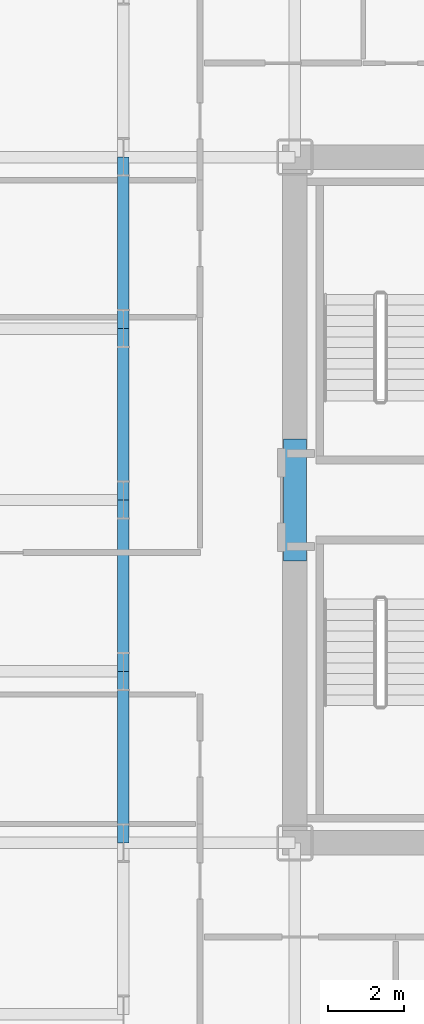
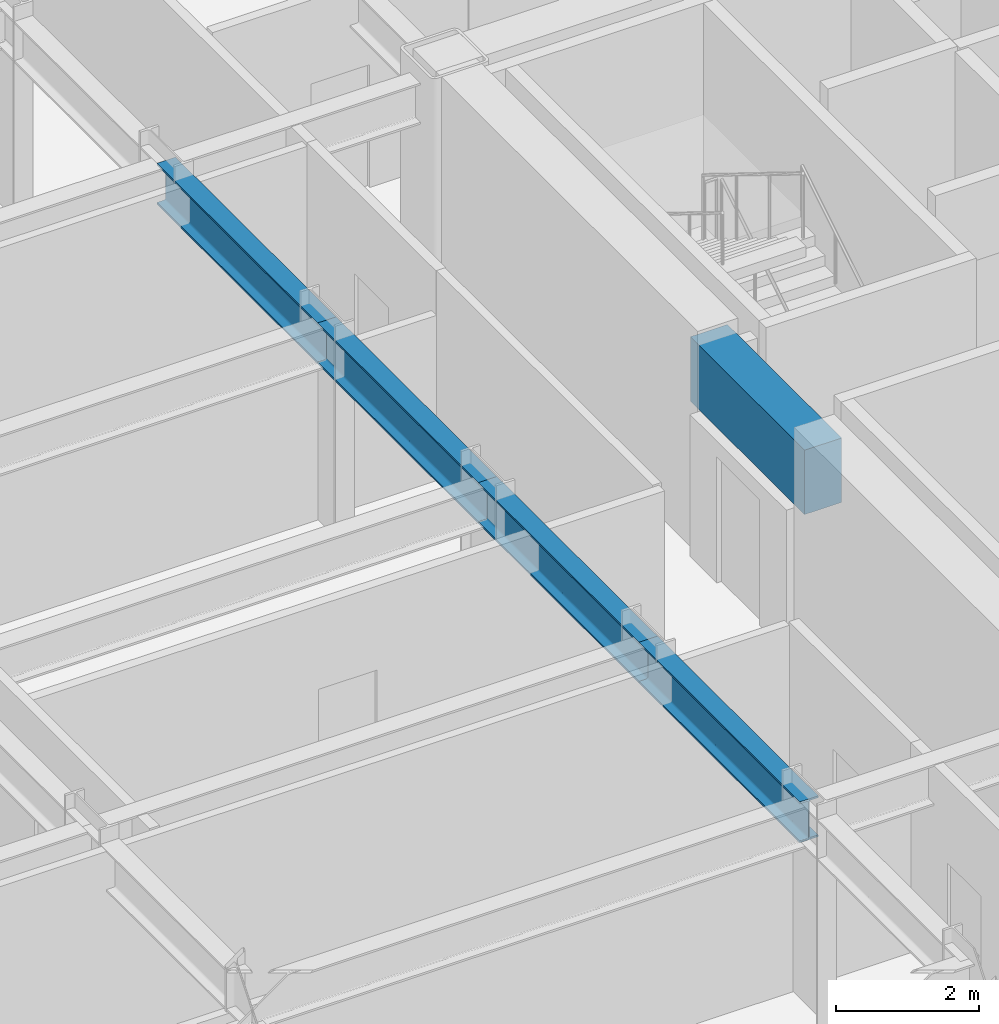
# One storey, part 7 of 29: 5 beams.
"""IFC4 building model written with IfcOpenShell, lengths in metres."""

from ifc_helpers import new_model, si_unit, direction, frame, origin, origin_2d, place, context, subcontext, project, spatial, rectangle, i_section, extrude, source, transform, mapped, material, material_profile, profile_set, type_object, element, save


model = new_model("IFC4")

# Units and contexts
model_context = context("Model", 3, precision=1e-05, world=origin(), true_north=direction((0.0, 1.0)))
body_context = subcontext(model_context, "Body", "Model", "MODEL_VIEW")
ifc_project = project(units=[si_unit("LENGTHUNIT", "METRE"), si_unit("AREAUNIT", "SQUARE_METRE"), si_unit("VOLUMEUNIT", "CUBIC_METRE"), si_unit("PLANEANGLEUNIT", "RADIAN"), si_unit("MASSUNIT", "GRAM", prefix="KILO")], contexts=[model_context])

# Site, building, storey
site_placement = place(None, origin())
site = spatial("IfcSite", under=ifc_project, at=site_placement, CompositionType="ELEMENT")
building_placement = place(site_placement, origin())
building = spatial("IfcBuilding", under=site, at=building_placement, Name="Nefas-Gora Pilgrimage Tower", CompositionType="ELEMENT")
storey_placement = place(building_placement, frame((0.0, 0.0, 44.39990234375)))
storey = spatial("IfcBuildingStorey", under=building, at=storey_placement, Name="L09", CompositionType="ELEMENT", Elevation=44.39990234375)

# Beams
ifc_material_1 = material(Name="Concrete C60/75", Category="concrete")
ifc_material_profile_1 = material_profile(ifc_material_1, rectangle(XDim=0.60009765625, YDim=1.10009765625, at=origin_2d()), Name="RC 600x1100")
ifc_profile_set_1 = profile_set([ifc_material_profile_1], Name="Concrete C60/75")
beam_type_1 = type_object("IfcBeamType", Name="BM-LIN-RC1100", PredefinedType="LINTEL", material=ifc_profile_set_1)
shared_shape_1 = source(origin(), body_context, "Body", "SweptSolid", [
    extrude(rectangle(XDim=0.60009765625, YDim=1.10009765625, at=origin_2d()), origin(), (0.0, 0.0, 1.0), 3.2001953125),
])
beam_placement = place(storey_placement, frame((-11.25, -1.60009765625, 3.0), z_axis=(0.0, 1.0, 0.0), x_axis=(-1.0, 0.0, 0.0)))
element("IfcBeam", 1, at=beam_placement, inside=storey, type_object=beam_type_1, Name="L09 Core Coupling Lintel Beam W", PredefinedType="LINTEL", context=body_context, shape_type="MappedRepresentation", body=[
    mapped(shared_shape_1, transform((0.0, 0.0, 0.0), x_axis=(1.0, 0.0, 0.0), y_axis=(0.0, 1.0, 0.0), z_axis=(0.0, 0.0, 1.0), scale=1.0)),
])
ifc_material_2 = material(Name="Steel S355", Category="steel")
ifc_material_profile_2 = material_profile(ifc_material_2, i_section(OverallWidth=0.300048828125, OverallDepth=0.699951171875, WebThickness=0.01708984375, FlangeThickness=0.031982421875, FilletRadius=0.027099609375, at=origin_2d()), Name="HEB 700")
ifc_profile_set_2 = profile_set([ifc_material_profile_2], Name="Steel S355")
beam_type_2 = type_object("IfcBeamType", Name="BM-GIR-HEB700", PredefinedType="BEAM", material=ifc_profile_set_2)
shared_shape_2 = source(origin(), body_context, "Body", "SweptSolid", [
    extrude(i_section(OverallWidth=0.300048828125, OverallDepth=0.699951171875, WebThickness=0.01708984375, FlangeThickness=0.031982421875, FilletRadius=0.027099609375, at=origin_2d()), origin(), (0.0, 0.0, 1.0), 4.5),
])
for number, where, z_axis, x_axis, name in (
    (2, (-15.75, -9.0, 3.2001953125), (0.0, 1.0, 0.0), (-1.0, 0.0, 0.0), "L09 G-02 beam"),
    (3, (-15.75, -4.5, 3.2001953125), (0.0, 1.0, 0.0), (-1.0, 0.0, 0.0), "L09 G-02 beam"),
    (4, (-15.75, 0.0, 3.2001953125), (0.0, 1.0, 0.0), (-1.0, 0.0, 0.0), "L09 G-02 beam"),
    (5, (-15.75, 4.5, 3.2001953125), (0.0, 1.0, 0.0), (-1.0, 0.0, 0.0), "L09 G-02 beam"),
):
    element("IfcBeam", number, at=place(storey_placement, frame(where, z_axis=z_axis, x_axis=x_axis)), inside=storey, type_object=beam_type_2, Name=name, PredefinedType="BEAM", context=body_context, shape_type="MappedRepresentation", body=[
        mapped(shared_shape_2, transform((0.0, 0.0, 0.0), x_axis=(1.0, 0.0, 0.0), y_axis=(0.0, 1.0, 0.0), z_axis=(0.0, 0.0, 1.0), scale=1.0)),
    ])

save(model, "model.ifc")
